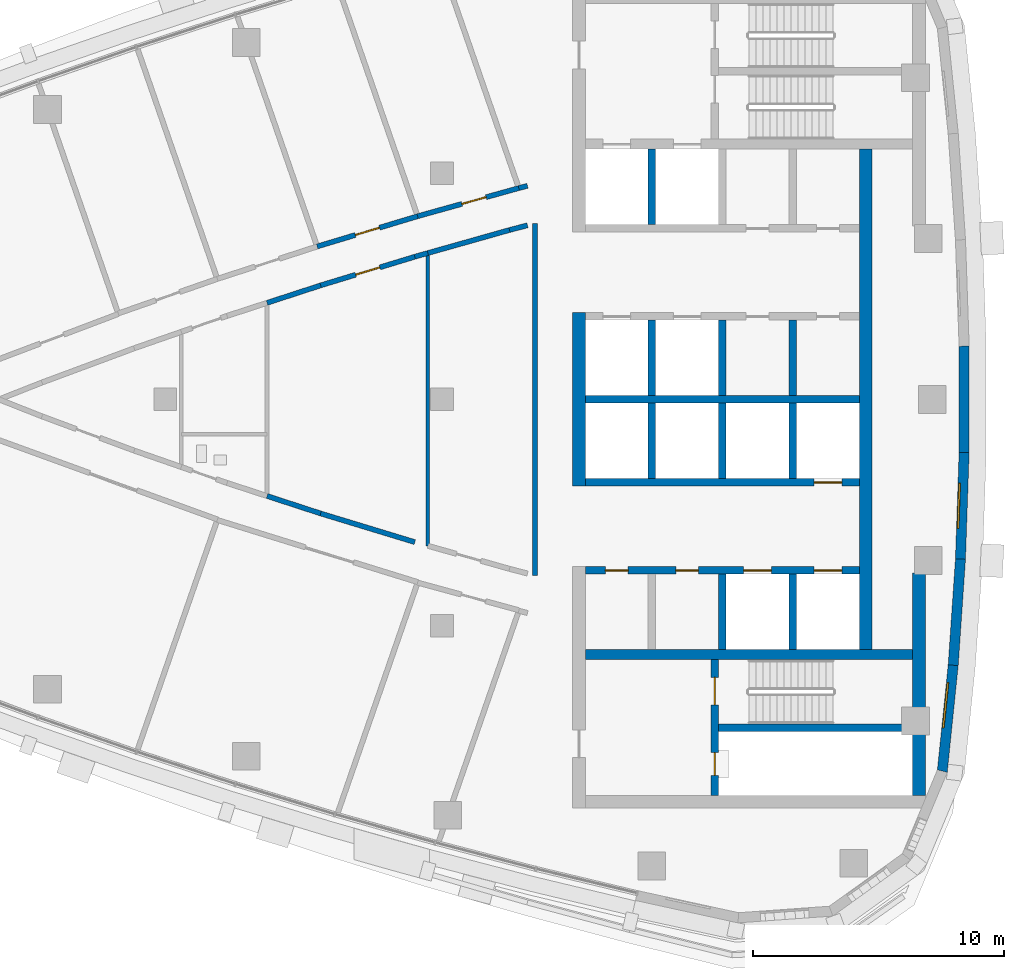
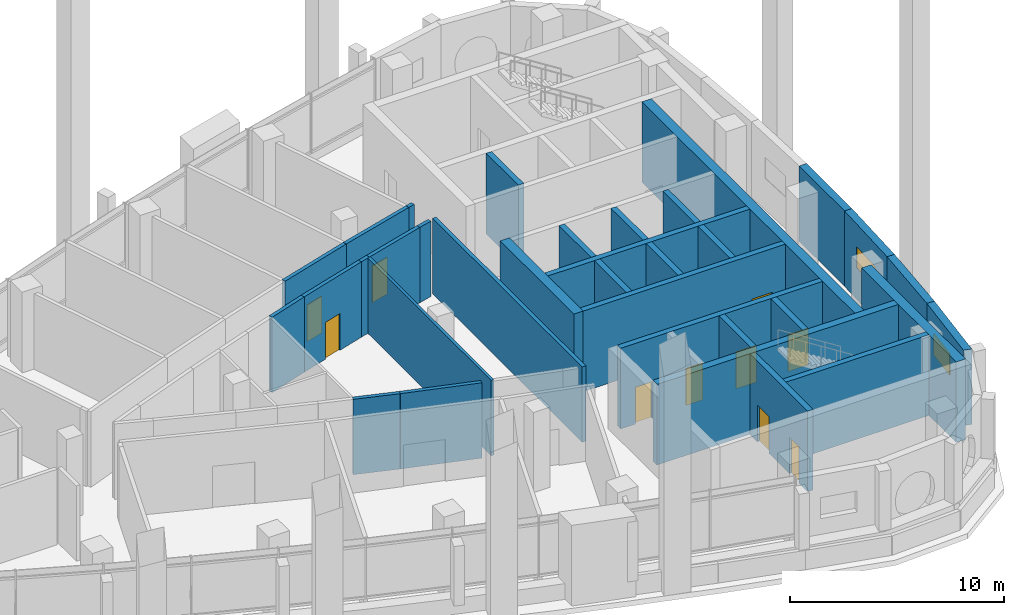
# One storey, part 8 of 15: 34 walls, 10 doors, 2 windows, 12 openings.
"""IFC4 building model written with IfcOpenShell, lengths in metres."""

from ifc_helpers import new_model, si_unit, direction, frame, frame_2d, origin, place, context, subcontext, project, spatial, polyline, rectangle, outline, extrude, material, layer, layer_set, type_object, element, fill, save


model = new_model("IFC4")

# Units and contexts
model_context = context("Model", 3, precision=1e-05, world=origin(), true_north=direction((0.0, 1.0)))
body_context = subcontext(model_context, "Body", "Model", "MODEL_VIEW")
ifc_project = project(units=[si_unit("LENGTHUNIT", "METRE"), si_unit("AREAUNIT", "SQUARE_METRE"), si_unit("VOLUMEUNIT", "CUBIC_METRE"), si_unit("PLANEANGLEUNIT", "RADIAN"), si_unit("MASSUNIT", "GRAM", prefix="KILO")], contexts=[model_context])

# Site, building, storey
site_placement = place(None, origin())
site = spatial("IfcSite", under=ifc_project, at=site_placement, CompositionType="ELEMENT")
building_placement = place(site_placement, origin())
building = spatial("IfcBuilding", under=site, at=building_placement, Name="Ostrand Prow Hotel Tower", CompositionType="ELEMENT")
storey_placement = place(building_placement, frame((0.0, 0.0, 263.300048828125)))
storey = spatial("IfcBuildingStorey", under=building, at=storey_placement, Name="L66", CompositionType="ELEMENT", Elevation=263.300048828125)

# Walls
ifc_material_1 = material(Name="Concrete C50/60", Category="concrete")
ifc_layer_1 = layer(ifc_material_1, 0.300048828125)
ifc_layer_set_1 = layer_set([ifc_layer_1], Name="Concrete C50/60")
wall_type_1 = type_object("IfcWallType", Name="Core wall 300 C50/60", PredefinedType="SHEAR", material=ifc_layer_set_1)
wall_1_placement = place(storey_placement, frame((50.699951171875, 0.0, 0.0), z_axis=(0.0, 0.0, 1.0), x_axis=(1.0, 0.0, 0.0)))
element("IfcWall", 1, at=wall_1_placement, inside=storey, type_object=wall_type_1, Name="Core wall PW-C", PredefinedType="SHEAR", context=body_context, shape_type="SweptSolid", body=[
    extrude(rectangle(XDim=10.900146484375, YDim=0.300048828125, at=frame_2d((5.4501953125, 0.0))), origin(), (0.0, 0.0, 1.0), 4.599853515625),
])
for number, where, z_axis, x_axis, name in (
    (2, (53.35009765625, 0.14990234375, 0.0), (0.0, 0.0, 1.0), (0.0, 1.0, 0.0), "Core wall PW-R1-NB"),
    (3, (53.35009765625, 6.949951171875, 0.0), (0.0, 0.0, 1.0), (0.0, 1.0, 0.0), "Core wall PW-R1-NA"),
    (4, (56.14990234375, 0.14990234375, 0.0), (0.0, 0.0, 1.0), (0.0, 1.0, 0.0), "Core wall PW-R2-NB"),
    (5, (58.949951171875, 0.14990234375, 0.0), (0.0, 0.0, 1.0), (0.0, 1.0, 0.0), "Core wall PW-R3-NB"),
):
    element("IfcWall", number, at=place(storey_placement, frame(where, z_axis=z_axis, x_axis=x_axis)), inside=storey, type_object=wall_type_1, Name=name, PredefinedType="SHEAR", context=body_context, shape_type="SweptSolid", body=[
        extrude(rectangle(XDim=3.0, YDim=0.300048828125, at=frame_2d((1.5, 0.0))), origin(), (0.0, 0.0, 1.0), 4.599853515625),
    ])

# Wall, opening, door
wall_2_placement = place(storey_placement, frame((50.699951171875, -3.300048828125, 0.0), z_axis=(0.0, 0.0, 1.0), x_axis=(1.0, 0.0, 0.0)))
wall_2 = element("IfcWall", 6, at=wall_2_placement, inside=storey, type_object=wall_type_1, Name="Core wall PW-L1-S", PredefinedType="SHEAR", context=body_context, shape_type="SweptSolid", body=[
    extrude(rectangle(XDim=10.900146484375, YDim=0.300048828125, at=frame_2d((5.4501953125, 0.0))), origin(), (0.0, 0.0, 1.0), 4.599853515625),
])
opening_1_placement = place(wall_2_placement, frame((9.10009765625, 0.0, 0.0)))
opening_1 = element("IfcOpeningElement", 7, at=opening_1_placement, cuts=wall_2, Name="Opening LD", PredefinedType="OPENING", context=body_context, shape_type="SweptSolid", body=[
    extrude(rectangle(XDim=1.10009765625, YDim=2.10009765625, at=frame_2d((0.550048828125, 1.050048828125))), frame((0.0, 0.159912109375, 0.0), z_axis=(0.0, -1.0, 0.0), x_axis=(1.0, 0.0, 0.0)), (0.0, 0.0, 1.0), 0.320068359375),
])
ifc_material_2 = material(Name="Stainless steel door", Category="steel")
door_type_1 = type_object("IfcDoorType", Name="Lift landing door 1100", OperationType="DOUBLE_DOOR_SLIDING", PredefinedType="DOOR", material=ifc_material_2)
door_1_placement = place(opening_1_placement, origin())
door_1 = element("IfcDoor", 8, at=door_1_placement, inside=storey, type_object=door_type_1, Name="LIFT LANDING DOOR", OperationType="DOUBLE_DOOR_SLIDING", OverallHeight=2.10009765625, OverallWidth=1.10009765625, PredefinedType="DOOR", context=body_context, shape_type="SweptSolid", body=[
    extrude(rectangle(XDim=1.10009765625, YDim=2.10009765625, at=frame_2d((0.550048828125, 1.050048828125))), frame((0.0, 0.02490234375, 0.0), z_axis=(0.0, -1.0, 0.0), x_axis=(1.0, 0.0, 0.0)), (0.0, 0.0, 1.0), 0.050048828125),
])
fill(opening_1, door_1)

# Wall, openings, doors
wall_3_placement = place(storey_placement, frame((50.699951171875, -6.800048828125, 0.0), z_axis=(0.0, 0.0, 1.0), x_axis=(1.0, 0.0, 0.0)))
wall_3 = element("IfcWall", 9, at=wall_3_placement, inside=storey, type_object=wall_type_1, Name="Core wall PW-L2-S", PredefinedType="SHEAR", context=body_context, shape_type="SweptSolid", body=[
    extrude(rectangle(XDim=10.900146484375, YDim=0.300048828125, at=frame_2d((5.4501953125, 0.0))), origin(), (0.0, 0.0, 1.0), 4.599853515625),
])
opening_2_placement = place(wall_3_placement, frame((6.300048828125, 0.0, 0.0)))
opening_2 = element("IfcOpeningElement", 10, at=opening_2_placement, cuts=wall_3, Name="Opening LD", PredefinedType="OPENING", context=body_context, shape_type="SweptSolid", body=[
    extrude(rectangle(XDim=1.10009765625, YDim=2.10009765625, at=frame_2d((0.550048828125, 1.050048828125))), frame((0.0, 0.159912109375, 0.0), z_axis=(0.0, -1.0, 0.0), x_axis=(1.0, 0.0, 0.0)), (0.0, 0.0, 1.0), 0.320068359375),
])
opening_3_placement = place(wall_3_placement, frame((9.10009765625, 0.0, 0.0)))
opening_3 = element("IfcOpeningElement", 11, at=opening_3_placement, cuts=wall_3, Name="Opening LD", PredefinedType="OPENING", context=body_context, shape_type="SweptSolid", body=[
    extrude(rectangle(XDim=1.10009765625, YDim=2.10009765625, at=frame_2d((0.550048828125, 1.050048828125))), frame((0.0, 0.159912109375, 0.0), z_axis=(0.0, -1.0, 0.0), x_axis=(1.0, 0.0, 0.0)), (0.0, 0.0, 1.0), 0.320068359375),
])
opening_4_placement = place(wall_3_placement, frame((0.800048828125, 0.0, 0.0)))
opening_4 = element("IfcOpeningElement", 12, at=opening_4_placement, cuts=wall_3, Name="Opening FD2", PredefinedType="OPENING", context=body_context, shape_type="SweptSolid", body=[
    extrude(rectangle(XDim=0.89990234375, YDim=2.10009765625, at=frame_2d((0.449951171875, 1.050048828125))), frame((0.0, 0.159912109375, 0.0), z_axis=(0.0, -1.0, 0.0), x_axis=(1.0, 0.0, 0.0)), (0.0, 0.0, 1.0), 0.320068359375),
])
opening_5_placement = place(wall_3_placement, frame((3.60009765625, 0.0, 0.0)))
opening_5 = element("IfcOpeningElement", 13, at=opening_5_placement, cuts=wall_3, Name="Opening FD2", PredefinedType="OPENING", context=body_context, shape_type="SweptSolid", body=[
    extrude(rectangle(XDim=0.89990234375, YDim=2.10009765625, at=frame_2d((0.449951171875, 1.050048828125))), frame((0.0, 0.159912109375, 0.0), z_axis=(0.0, -1.0, 0.0), x_axis=(1.0, 0.0, 0.0)), (0.0, 0.0, 1.0), 0.320068359375),
])
ifc_material_3 = material(Name="Steel fire door", Category="steel")
door_type_2 = type_object("IfcDoorType", Name="Fire door 900 EI120", OperationType="SINGLE_SWING_LEFT", PredefinedType="DOOR", material=ifc_material_3)
door_2_placement = place(opening_4_placement, origin())
door_2 = element("IfcDoor", 14, at=door_2_placement, inside=storey, type_object=door_type_2, Name="DOOR", OperationType="SINGLE_SWING_LEFT", OverallHeight=2.10009765625, OverallWidth=0.89990234375, PredefinedType="DOOR", context=body_context, shape_type="SweptSolid", body=[
    extrude(rectangle(XDim=0.89990234375, YDim=2.10009765625, at=frame_2d((0.449951171875, 1.050048828125))), frame((0.0, 0.02490234375, 0.0), z_axis=(0.0, -1.0, 0.0), x_axis=(1.0, 0.0, 0.0)), (0.0, 0.0, 1.0), 0.050048828125),
])
fill(opening_4, door_2)
door_3_placement = place(opening_5_placement, origin())
door_3 = element("IfcDoor", 15, at=door_3_placement, inside=storey, type_object=door_type_2, Name="DOOR", OperationType="SINGLE_SWING_LEFT", OverallHeight=2.10009765625, OverallWidth=0.89990234375, PredefinedType="DOOR", context=body_context, shape_type="SweptSolid", body=[
    extrude(rectangle(XDim=0.89990234375, YDim=2.10009765625, at=frame_2d((0.449951171875, 1.050048828125))), frame((0.0, 0.02490234375, 0.0), z_axis=(0.0, -1.0, 0.0), x_axis=(1.0, 0.0, 0.0)), (0.0, 0.0, 1.0), 0.050048828125),
])
fill(opening_5, door_3)
door_4_placement = place(opening_2_placement, origin())
door_4 = element("IfcDoor", 16, at=door_4_placement, inside=storey, type_object=door_type_1, Name="LIFT LANDING DOOR", OperationType="DOUBLE_DOOR_SLIDING", OverallHeight=2.10009765625, OverallWidth=1.10009765625, PredefinedType="DOOR", context=body_context, shape_type="SweptSolid", body=[
    extrude(rectangle(XDim=1.10009765625, YDim=2.10009765625, at=frame_2d((0.550048828125, 1.050048828125))), frame((0.0, 0.02490234375, 0.0), z_axis=(0.0, -1.0, 0.0), x_axis=(1.0, 0.0, 0.0)), (0.0, 0.0, 1.0), 0.050048828125),
])
fill(opening_2, door_4)
door_5_placement = place(opening_3_placement, origin())
door_5 = element("IfcDoor", 17, at=door_5_placement, inside=storey, type_object=door_type_1, Name="LIFT LANDING DOOR", OperationType="DOUBLE_DOOR_SLIDING", OverallHeight=2.10009765625, OverallWidth=1.10009765625, PredefinedType="DOOR", context=body_context, shape_type="SweptSolid", body=[
    extrude(rectangle(XDim=1.10009765625, YDim=2.10009765625, at=frame_2d((0.550048828125, 1.050048828125))), frame((0.0, 0.02490234375, 0.0), z_axis=(0.0, -1.0, 0.0), x_axis=(1.0, 0.0, 0.0)), (0.0, 0.0, 1.0), 0.050048828125),
])
fill(opening_3, door_5)

# Walls
for number, where, z_axis, x_axis, name in (
    (18, (53.35009765625, -3.14990234375, 0.0), (0.0, 0.0, 1.0), (0.0, 1.0, 0.0), "Core wall PW-R1-SB"),
    (19, (56.14990234375, -3.14990234375, 0.0), (0.0, 0.0, 1.0), (0.0, 1.0, 0.0), "Core wall PW-R2-SB"),
    (20, (56.14990234375, -9.949951171875, 0.0), (0.0, 0.0, 1.0), (0.0, 1.0, 0.0), "Core wall PW-R2-SA"),
    (21, (58.949951171875, -3.14990234375, 0.0), (0.0, 0.0, 1.0), (0.0, 1.0, 0.0), "Core wall PW-R3-SB"),
    (22, (58.949951171875, -9.949951171875, 0.0), (0.0, 0.0, 1.0), (0.0, 1.0, 0.0), "Core wall PW-R3-SA"),
):
    element("IfcWall", number, at=place(storey_placement, frame(where, z_axis=z_axis, x_axis=x_axis)), inside=storey, type_object=wall_type_1, Name=name, PredefinedType="SHEAR", context=body_context, shape_type="SweptSolid", body=[
        extrude(rectangle(XDim=3.0, YDim=0.300048828125, at=frame_2d((1.5, 0.0))), origin(), (0.0, 0.0, 1.0), 4.599853515625),
    ])

# Wall, openings, doors
wall_4_placement = place(storey_placement, frame((55.85009765625, -15.75, 0.0), z_axis=(0.0, 0.0, 1.0), x_axis=(0.0, 1.0, 0.0)))
wall_4 = element("IfcWall", 23, at=wall_4_placement, inside=storey, type_object=wall_type_1, Name="Core wall PW-VS", PredefinedType="SHEAR", context=body_context, shape_type="SweptSolid", body=[
    extrude(rectangle(XDim=5.39990234375, YDim=0.300048828125, at=frame_2d((2.699951171875, 0.0))), origin(), (0.0, 0.0, 1.0), 4.599853515625),
])
opening_6_placement = place(wall_4_placement, frame((3.60009765625, 0.0, 0.0)))
opening_6 = element("IfcOpeningElement", 24, at=opening_6_placement, cuts=wall_4, Name="Opening FD1", PredefinedType="OPENING", context=body_context, shape_type="SweptSolid", body=[
    extrude(rectangle(XDim=1.10009765625, YDim=2.10009765625, at=frame_2d((0.550048828125, 1.050048828125))), frame((0.0, 0.159912109375, 0.0), z_axis=(0.0, -1.0, 0.0), x_axis=(1.0, 0.0, 0.0)), (0.0, 0.0, 1.0), 0.320068359375),
])
opening_7_placement = place(wall_4_placement, frame((0.800048828125, 0.0, 0.0)))
opening_7 = element("IfcOpeningElement", 25, at=opening_7_placement, cuts=wall_4, Name="Opening FD2", PredefinedType="OPENING", context=body_context, shape_type="SweptSolid", body=[
    extrude(rectangle(XDim=0.89990234375, YDim=2.10009765625, at=frame_2d((0.449951171875, 1.050048828125))), frame((0.0, 0.159912109375, 0.0), z_axis=(0.0, -1.0, 0.0), x_axis=(1.0, 0.0, 0.0)), (0.0, 0.0, 1.0), 0.320068359375),
])
ifc_material_4 = material(Name="Steel fire door", Category="steel")
door_type_3 = type_object("IfcDoorType", Name="Fire door 1100 EI120", OperationType="SINGLE_SWING_RIGHT", PredefinedType="DOOR", material=ifc_material_4)
door_6_placement = place(opening_6_placement, origin())
door_6 = element("IfcDoor", 26, at=door_6_placement, inside=storey, type_object=door_type_3, Name="FIRE DOOR", OperationType="SINGLE_SWING_RIGHT", OverallHeight=2.10009765625, OverallWidth=1.10009765625, PredefinedType="DOOR", context=body_context, shape_type="SweptSolid", body=[
    extrude(rectangle(XDim=1.10009765625, YDim=2.10009765625, at=frame_2d((0.550048828125, 1.050048828125))), frame((0.0, 0.02490234375, 0.0), z_axis=(0.0, -1.0, 0.0), x_axis=(1.0, 0.0, 0.0)), (0.0, 0.0, 1.0), 0.050048828125),
])
fill(opening_6, door_6)
door_7_placement = place(opening_7_placement, origin())
door_7 = element("IfcDoor", 27, at=door_7_placement, inside=storey, type_object=door_type_2, Name="FIRE DOOR", OperationType="SINGLE_SWING_LEFT", OverallHeight=2.10009765625, OverallWidth=0.89990234375, PredefinedType="DOOR", context=body_context, shape_type="SweptSolid", body=[
    extrude(rectangle(XDim=0.89990234375, YDim=2.10009765625, at=frame_2d((0.449951171875, 1.050048828125))), frame((0.0, 0.02490234375, 0.0), z_axis=(0.0, -1.0, 0.0), x_axis=(1.0, 0.0, 0.0)), (0.0, 0.0, 1.0), 0.050048828125),
])
fill(opening_7, door_7)

# Walls
wall_5_placement = place(storey_placement, frame((56.0, -13.050048828125, 0.0), z_axis=(0.0, 0.0, 1.0), x_axis=(1.0, 0.0, 0.0)))
element("IfcWall", 28, at=wall_5_placement, inside=storey, type_object=wall_type_1, Name="Core wall PW-ST2R", PredefinedType="SHEAR", context=body_context, shape_type="SweptSolid", body=[
    extrude(rectangle(XDim=7.719970703125, YDim=0.300048828125, at=frame_2d((3.85986328125, 0.0))), origin(), (0.0, 0.0, 1.0), 4.599853515625),
])
ifc_material_5 = material(Name="Concrete C50/60", Category="concrete")
ifc_layer_2 = layer(ifc_material_5, 0.39990234375)
ifc_layer_set_2 = layer_set([ifc_layer_2], Name="Concrete C50/60")
wall_type_2 = type_object("IfcWallType", Name="Core wall 400 C50/60", PredefinedType="SHEAR", material=ifc_layer_set_2)
wall_6_placement = place(storey_placement, frame((50.699951171875, -10.14990234375, 0.0), z_axis=(0.0, 0.0, 1.0), x_axis=(1.0, 0.0, 0.0)))
element("IfcWall", 29, at=wall_6_placement, inside=storey, type_object=wall_type_2, Name="Core wall PW-BS", PredefinedType="SHEAR", context=body_context, shape_type="SweptSolid", body=[
    extrude(rectangle(XDim=13.02001953125, YDim=0.39990234375, at=frame_2d((6.510009765625, 0.0))), origin(), (0.0, 0.0, 1.0), 4.599853515625),
])
ifc_material_6 = material(Name="Concrete C50/60", Category="concrete")
ifc_layer_3 = layer(ifc_material_6, 0.5)
ifc_layer_set_3 = layer_set([ifc_layer_3], Name="Concrete C50/60")
wall_type_3 = type_object("IfcWallType", Name="Core wall 500 C50/60", PredefinedType="SHEAR", material=ifc_layer_set_3)
wall_7_placement = place(storey_placement, frame((50.449951171875, -3.449951171875, 0.0), z_axis=(0.0, 0.0, 1.0), x_axis=(0.0, 1.0, 0.0)))
element("IfcWall", 30, at=wall_7_placement, inside=storey, type_object=wall_type_3, Name="Core wall CW-W-C", PredefinedType="SHEAR", context=body_context, shape_type="SweptSolid", body=[
    extrude(rectangle(XDim=6.89990234375, YDim=0.5, at=frame_2d((3.449951171875, 0.0))), origin(), (0.0, 0.0, 1.0), 4.599853515625),
])
wall_8_placement = place(storey_placement, frame((63.969970703125, -15.75, 0.0), z_axis=(0.0, 0.0, 1.0), x_axis=(0.0, 1.0, 0.0)))
element("IfcWall", 31, at=wall_8_placement, inside=storey, type_object=wall_type_3, Name="Core wall CW-E-S", PredefinedType="SHEAR", context=body_context, shape_type="SweptSolid", body=[
    extrude(rectangle(XDim=8.8466796875, YDim=0.5, at=frame_2d((4.42333984375, 0.0))), origin(), (0.0, 0.0, 1.0), 4.599853515625),
])
wall_9_placement = place(storey_placement, frame((61.85009765625, -9.949951171875, 0.0), z_axis=(0.0, 0.0, 1.0), x_axis=(0.0, 1.0, 0.0)))
element("IfcWall", 32, at=wall_9_placement, inside=storey, type_object=wall_type_3, Name="Core wall CW-E-C", PredefinedType="SHEAR", context=body_context, shape_type="SweptSolid", body=[
    extrude(rectangle(XDim=19.89990234375, YDim=0.5, at=frame_2d((9.949951171875, 0.0))), origin(), (0.0, 0.0, 1.0), 4.599853515625),
])
ifc_material_7 = material(Name="Plasterboard partition")
ifc_layer_4 = layer(ifc_material_7, 0.14990234375)
ifc_layer_set_4 = layer_set([ifc_layer_4], Name="Plasterboard partition")
wall_type_4 = type_object("IfcWallType", Name="Partition 150 room partition", PredefinedType="PARTITIONING", material=ifc_layer_set_4)
wall_10_placement = place(storey_placement, frame((44.43701171875, -5.821044921875, 0.0), z_axis=(0.0, 0.0, 1.0), x_axis=(0.0, 1.0, 0.0)))
element("IfcWall", 33, at=wall_10_placement, inside=storey, type_object=wall_type_4, Name="ROOM PARTITION", PredefinedType="PARTITIONING", context=body_context, shape_type="SweptSolid", body=[
    extrude(rectangle(XDim=11.64208984375, YDim=0.14990234375, at=frame_2d((5.821044921875, 0.0))), origin(), (0.0, 0.0, 1.0), 4.300048828125),
])

# Wall, opening, door
ifc_material_8 = material(Name="Plasterboard partition")
ifc_layer_5 = layer(ifc_material_8, 0.199951171875)
ifc_layer_set_5 = layer_set([ifc_layer_5], Name="Plasterboard partition")
wall_type_5 = type_object("IfcWallType", Name="Partition 200 corridor wall", PredefinedType="PARTITIONING", material=ifc_layer_set_5)
wall_11_placement = place(storey_placement, frame((44.03125, 7.285888671875, 0.0), z_axis=(0.0, 0.0, 1.0), x_axis=(-0.957521424208, -0.288362137222, 0.0)))
wall_11 = element("IfcWall", 34, at=wall_11_placement, inside=storey, type_object=wall_type_5, Name="CORRIDOR WALL", PredefinedType="PARTITIONING", context=body_context, shape_type="SweptSolid", body=[
    extrude(rectangle(XDim=4.173095703125, YDim=0.199951171875, at=frame_2d((2.08642578125, 0.0))), origin(), (0.0, 0.0, 1.0), 4.300048828125),
])
opening_8_placement = place(wall_11_placement, frame((1.58642578125, 0.0, 0.0)))
opening_8 = element("IfcOpeningElement", 35, at=opening_8_placement, cuts=wall_11, Name="Opening D1", PredefinedType="OPENING", context=body_context, shape_type="SweptSolid", body=[
    extrude(rectangle(XDim=1.0, YDim=2.10009765625, at=frame_2d((0.5, 1.050048828125))), frame((0.0, 0.10986328125, 0.0), z_axis=(0.0, -1.0, 0.0), x_axis=(1.0, 0.0, 0.0)), (0.0, 0.0, 1.0), 0.219970703125),
])
ifc_material_9 = material(Name="Timber door leaf", Category="wood")
door_type_4 = type_object("IfcDoorType", Name="Guest room door 1000", OperationType="SINGLE_SWING_LEFT", PredefinedType="DOOR", material=ifc_material_9)
door_8_placement = place(opening_8_placement, origin())
door_8 = element("IfcDoor", 36, at=door_8_placement, inside=storey, type_object=door_type_4, Name="DOOR", OperationType="SINGLE_SWING_LEFT", OverallHeight=2.10009765625, OverallWidth=1.0, PredefinedType="DOOR", context=body_context, shape_type="SweptSolid", body=[
    extrude(rectangle(XDim=1.0, YDim=2.10009765625, at=frame_2d((0.5, 1.050048828125))), frame((0.0, 0.02490234375, 0.0), z_axis=(0.0, -1.0, 0.0), x_axis=(1.0, 0.0, 0.0)), (0.0, 0.0, 1.0), 0.050048828125),
])
fill(opening_8, door_8)

wall_12_placement = place(storey_placement, frame((48.055908203125, 8.4052734375, 0.0), z_axis=(0.0, 0.0, 1.0), x_axis=(-0.963429942227, -0.267960344866, 0.0)))
wall_12 = element("IfcWall", 37, at=wall_12_placement, inside=storey, type_object=wall_type_5, Name="CORRIDOR WALL", PredefinedType="PARTITIONING", context=body_context, shape_type="SweptSolid", body=[
    extrude(rectangle(XDim=4.177490234375, YDim=0.199951171875, at=frame_2d((2.0888671875, 0.0))), origin(), (0.0, 0.0, 1.0), 4.300048828125),
])
opening_9_placement = place(wall_12_placement, frame((1.35009765625, 0.0, 0.0)))
opening_9 = element("IfcOpeningElement", 38, at=opening_9_placement, cuts=wall_12, Name="Opening D1R", PredefinedType="OPENING", context=body_context, shape_type="SweptSolid", body=[
    extrude(rectangle(XDim=1.0, YDim=2.10009765625, at=frame_2d((0.5, 1.050048828125))), frame((0.0, 0.10986328125, 0.0), z_axis=(0.0, -1.0, 0.0), x_axis=(1.0, 0.0, 0.0)), (0.0, 0.0, 1.0), 0.219970703125),
])
ifc_material_10 = material(Name="Timber door leaf", Category="wood")
door_type_5 = type_object("IfcDoorType", Name="Guest room door 1000 right", OperationType="SINGLE_SWING_RIGHT", PredefinedType="DOOR", material=ifc_material_10)
door_9_placement = place(opening_9_placement, origin())
door_9 = element("IfcDoor", 39, at=door_9_placement, inside=storey, type_object=door_type_5, Name="DOOR", OperationType="SINGLE_SWING_RIGHT", OverallHeight=2.10009765625, OverallWidth=1.0, PredefinedType="DOOR", context=body_context, shape_type="SweptSolid", body=[
    extrude(rectangle(XDim=1.0, YDim=2.10009765625, at=frame_2d((0.5, 1.050048828125))), frame((0.0, 0.02490234375, 0.0), z_axis=(0.0, -1.0, 0.0), x_axis=(1.0, 0.0, 0.0)), (0.0, 0.0, 1.0), 0.050048828125),
])
fill(opening_9, door_9)

wall_13_placement = place(storey_placement, frame((40.1748046875, 4.5361328125, 0.0), z_axis=(0.0, 0.0, 1.0), x_axis=(0.956723737069, 0.29099775073, 0.0)))
wall_13 = element("IfcWall", 40, at=wall_13_placement, inside=storey, type_object=wall_type_5, Name="CORRIDOR WALL", PredefinedType="PARTITIONING", context=body_context, shape_type="SweptSolid", body=[
    extrude(rectangle(XDim=3.9130859375, YDim=0.199951171875, at=frame_2d((1.95654296875, 0.0))), origin(), (0.0, 0.0, 1.0), 4.300048828125),
])
opening_10_placement = place(wall_13_placement, frame((1.45654296875, 0.0, 0.0)))
opening_10 = element("IfcOpeningElement", 41, at=opening_10_placement, cuts=wall_13, Name="Opening D1", PredefinedType="OPENING", context=body_context, shape_type="SweptSolid", body=[
    extrude(rectangle(XDim=1.0, YDim=2.10009765625, at=frame_2d((0.5, 1.050048828125))), frame((0.0, 0.10986328125, 0.0), z_axis=(0.0, -1.0, 0.0), x_axis=(1.0, 0.0, 0.0)), (0.0, 0.0, 1.0), 0.219970703125),
])
door_10_placement = place(opening_10_placement, origin())
door_10 = element("IfcDoor", 42, at=door_10_placement, inside=storey, type_object=door_type_4, Name="DOOR", OperationType="SINGLE_SWING_LEFT", OverallHeight=2.10009765625, OverallWidth=1.0, PredefinedType="DOOR", context=body_context, shape_type="SweptSolid", body=[
    extrude(rectangle(XDim=1.0, YDim=2.10009765625, at=frame_2d((0.5, 1.050048828125))), frame((0.0, 0.02490234375, 0.0), z_axis=(0.0, -1.0, 0.0), x_axis=(1.0, 0.0, 0.0)), (0.0, 0.0, 1.0), 0.050048828125),
])
fill(opening_10, door_10)

# Walls
wall_14_placement = place(storey_placement, frame((43.91845703125, -5.6748046875, 0.0), z_axis=(0.0, 0.0, 1.0), x_axis=(-0.956723737069, 0.29099775073, 0.0)))
element("IfcWall", 43, at=wall_14_placement, inside=storey, type_object=wall_type_5, Name="CORRIDOR WALL", PredefinedType="PARTITIONING", context=body_context, shape_type="SweptSolid", body=[
    extrude(rectangle(XDim=3.9130859375, YDim=0.199951171875, at=frame_2d((1.95654296875, 0.0))), origin(), (0.0, 0.0, 1.0), 4.300048828125),
])
for number, where, z_axis, x_axis, name in (
    (44, (40.1748046875, -4.5361328125, 0.0), (0.0, 0.0, 1.0), (-0.950720770841, 0.310048408949, 0.0), "CORRIDOR WALL"),
    (45, (38.042724609375, 3.8408203125, 0.0), (0.0, 0.0, 1.0), (0.950720770841, 0.310048408949, 0.0), "CORRIDOR WALL"),
):
    element("IfcWall", number, at=place(storey_placement, frame(where, z_axis=z_axis, x_axis=x_axis)), inside=storey, type_object=wall_type_5, Name=name, PredefinedType="PARTITIONING", context=body_context, shape_type="SweptSolid", body=[
        extrude(rectangle(XDim=2.24267578125, YDim=0.199951171875, at=frame_2d((1.121337890625, 0.0))), origin(), (0.0, 0.0, 1.0), 4.300048828125),
    ])
wall_15_placement = place(storey_placement, frame((44.43701171875, 5.821044921875, 0.0), z_axis=(0.0, 0.0, 1.0), x_axis=(0.962403613575, 0.271623424206, 0.0)))
element("IfcWall", 46, at=wall_15_placement, inside=storey, type_object=wall_type_5, Name="CORRIDOR WALL", PredefinedType="PARTITIONING", context=body_context, shape_type="SweptSolid", body=[
    extrude(rectangle(XDim=3.374267578125, YDim=0.199951171875, at=frame_2d((1.68701171875, 0.0))), origin(), (0.0, 0.0, 1.0), 4.300048828125),
])
wall_16_placement = place(storey_placement, frame((48.39990234375, 8.4951171875, 0.0), z_axis=(0.0, 0.0, 1.0), x_axis=(-0.96754430933, -0.252701423587, 0.0)))
element("IfcWall", 47, at=wall_16_placement, inside=storey, type_object=wall_type_5, Name="CORRIDOR WALL", PredefinedType="PARTITIONING", context=body_context, shape_type="SweptSolid", body=[
    extrude(rectangle(XDim=0.35546875, YDim=0.199951171875, at=frame_2d((0.177734375, 0.0))), origin(), (0.0, 0.0, 1.0), 4.300048828125),
])
wall_17_placement = place(storey_placement, frame((47.684326171875, 6.737548828125, 0.0), z_axis=(0.0, 0.0, 1.0), x_axis=(0.967585713416, 0.252542842294, 0.0)))
element("IfcWall", 48, at=wall_17_placement, inside=storey, type_object=wall_type_5, Name="CORRIDOR WALL", PredefinedType="PARTITIONING", context=body_context, shape_type="SweptSolid", body=[
    extrude(rectangle(XDim=0.739501953125, YDim=0.199951171875, at=frame_2d((0.36962890625, 0.0))), origin(), (0.0, 0.0, 1.0), 4.300048828125),
])
wall_18_placement = place(storey_placement, frame((48.695068359375, 6.995849609375, 0.0), z_axis=(0.0, 0.0, 1.0), x_axis=(0.0, -1.0, 0.0)))
element("IfcWall", 49, at=wall_18_placement, inside=storey, type_object=wall_type_5, Name="CORRIDOR WALL", PredefinedType="PARTITIONING", context=body_context, shape_type="SweptSolid", body=[
    extrude(rectangle(XDim=13.99169921875, YDim=0.199951171875, at=frame_2d((6.995849609375, 0.0))), origin(), (0.0, 0.0, 1.0), 4.300048828125),
])
wall_19_placement = place(storey_placement, frame((43.91845703125, 5.6748046875, 0.0), z_axis=(0.0, 0.0, 1.0), x_axis=(0.9624587823, 0.271427876929, 0.0)))
element("IfcWall", 50, at=wall_19_placement, inside=storey, type_object=wall_type_5, Name="CORRIDOR WALL", PredefinedType="PARTITIONING", context=body_context, shape_type="SweptSolid", body=[
    extrude(rectangle(XDim=0.538818359375, YDim=0.199951171875, at=frame_2d((0.26953125, 0.0))), origin(), (0.0, 0.0, 1.0), 4.300048828125),
])

# Wall, opening, window
ifc_material_11 = material(Name="Precast concrete C40/50", Category="concrete")
ifc_layer_6 = layer(ifc_material_11, 0.39990234375)
ifc_layer_set_6 = layer_set([ifc_layer_6], Name="Precast concrete C40/50")
wall_type_6 = type_object("IfcWallType", Name="Stone-faced precast wall 400 mm", PredefinedType="NOTDEFINED", material=ifc_layer_set_6)
wall_20_placement = place(storey_placement, frame((64.898193359375, -14.782470703125, 0.0), z_axis=(0.0, 0.0, 1.0), x_axis=(0.102249826987, 0.994758751096, 0.0)))
wall_20 = element("IfcWall", 51, at=wall_20_placement, inside=storey, type_object=wall_type_6, Name="Stone-faced wall back 5", PredefinedType="NOTDEFINED", context=body_context, shape_type="SweptSolid", body=[
    extrude(outline(polyline([(-0.029541015625, -0.199951171875), (4.23681640625, -0.199951171875), (4.22998046875, 0.199951171875), (0.029541015625, 0.199951171875), (-0.029541015625, -0.199951171875)])), origin(), (0.0, 0.0, 1.0), 4.300048828125),
])
opening_11_placement = place(wall_20_placement, frame((1.716796875, 0.0, 1.800048828125)))
opening_11 = element("IfcOpeningElement", 52, at=opening_11_placement, cuts=wall_20, Name="Opening WC1", PredefinedType="OPENING", context=body_context, shape_type="SweptSolid", body=[
    extrude(rectangle(XDim=1.800048828125, YDim=1.199951171875, at=frame_2d((0.89990234375, 0.60009765625))), frame((0.0, 0.2099609375, 0.0), z_axis=(0.0, -1.0, 0.0), x_axis=(1.0, 0.0, 0.0)), (0.0, 0.0, 1.0), 0.419921875),
])
ifc_material_12 = material(Name="Insulated glass in bronze frame", Category="glass")
window_type = type_object("IfcWindowType", Name="Sky lobby clerestory window 1800x1200", PartitioningType="SINGLE_PANEL", PredefinedType="WINDOW", material=ifc_material_12)
window_1_placement = place(opening_11_placement, origin())
window_1 = element("IfcWindow", 53, at=window_1_placement, inside=storey, type_object=window_type, Name="Window back 5.1", OverallHeight=1.199951171875, OverallWidth=1.800048828125, PartitioningType="SINGLE_PANEL", PredefinedType="WINDOW", context=body_context, shape_type="SweptSolid", body=[
    extrude(rectangle(XDim=1.800048828125, YDim=1.199951171875, at=frame_2d((0.89990234375, 0.60009765625))), frame((0.0, 0.169921875, 0.0), z_axis=(0.0, -1.0, 0.0), x_axis=(1.0, 0.0, 0.0)), (0.0, 0.0, 1.0), 0.06005859375),
])
fill(opening_11, window_1)

# Wall
wall_21_placement = place(storey_placement, frame((65.3310546875, -10.5712890625, 0.0), z_axis=(0.0, 0.0, 1.0), x_axis=(0.068279584479, 0.997666225921, 0.0)))
element("IfcWall", 54, at=wall_21_placement, inside=storey, type_object=wall_type_6, Name="Stone-faced wall back 6", PredefinedType="NOTDEFINED", context=body_context, shape_type="SweptSolid", body=[
    extrude(outline(polyline([(-0.00341796875, -0.199951171875), (4.23681640625, -0.199951171875), (4.22998046875, 0.199951171875), (0.00341796875, 0.199951171875), (-0.00341796875, -0.199951171875)])), origin(), (0.0, 0.0, 1.0), 4.300048828125),
])

# Wall, opening, window
wall_22_placement = place(storey_placement, frame((65.6201171875, -6.34765625, 0.0), z_axis=(0.0, 0.0, 1.0), x_axis=(0.034082898699, 0.999419009233, 0.0)))
wall_22 = element("IfcWall", 55, at=wall_22_placement, inside=storey, type_object=wall_type_6, Name="Stone-faced wall back 7", PredefinedType="NOTDEFINED", context=body_context, shape_type="SweptSolid", body=[
    extrude(outline(polyline([(-0.00341796875, -0.199951171875), (4.23681640625, -0.199951171875), (4.22998046875, 0.199951171875), (0.00341796875, 0.199951171875), (-0.00341796875, -0.199951171875)])), origin(), (0.0, 0.0, 1.0), 4.300048828125),
])
opening_12_placement = place(wall_22_placement, frame((1.216796875, 0.0, 1.800048828125)))
opening_12 = element("IfcOpeningElement", 56, at=opening_12_placement, cuts=wall_22, Name="Opening WC1", PredefinedType="OPENING", context=body_context, shape_type="SweptSolid", body=[
    extrude(rectangle(XDim=1.800048828125, YDim=1.199951171875, at=frame_2d((0.89990234375, 0.60009765625))), frame((0.0, 0.2099609375, 0.0), z_axis=(0.0, -1.0, 0.0), x_axis=(1.0, 0.0, 0.0)), (0.0, 0.0, 1.0), 0.419921875),
])
window_2_placement = place(opening_12_placement, origin())
window_2 = element("IfcWindow", 57, at=window_2_placement, inside=storey, type_object=window_type, Name="Window back 7.1", OverallHeight=1.199951171875, OverallWidth=1.800048828125, PartitioningType="SINGLE_PANEL", PredefinedType="WINDOW", context=body_context, shape_type="SweptSolid", body=[
    extrude(rectangle(XDim=1.800048828125, YDim=1.199951171875, at=frame_2d((0.89990234375, 0.60009765625))), frame((0.0, 0.169921875, 0.0), z_axis=(0.0, -1.0, 0.0), x_axis=(1.0, 0.0, 0.0)), (0.0, 0.0, 1.0), 0.06005859375),
])
fill(opening_12, window_2)

# Wall
wall_23_placement = place(storey_placement, frame((65.764404296875, -2.11669921875, 0.0), z_axis=(0.0, 0.0, 1.0), x_axis=(0.0, 1.0, 0.0)))
element("IfcWall", 58, at=wall_23_placement, inside=storey, type_object=wall_type_6, Name="Stone-faced wall back 8", PredefinedType="NOTDEFINED", context=body_context, shape_type="SweptSolid", body=[
    extrude(outline(polyline([(-0.00341796875, -0.199951171875), (4.23681640625, -0.199951171875), (4.22998046875, 0.199951171875), (0.00341796875, 0.199951171875), (-0.00341796875, -0.199951171875)])), origin(), (0.0, 0.0, 1.0), 4.300048828125),
])

save(model, "model.ifc")
